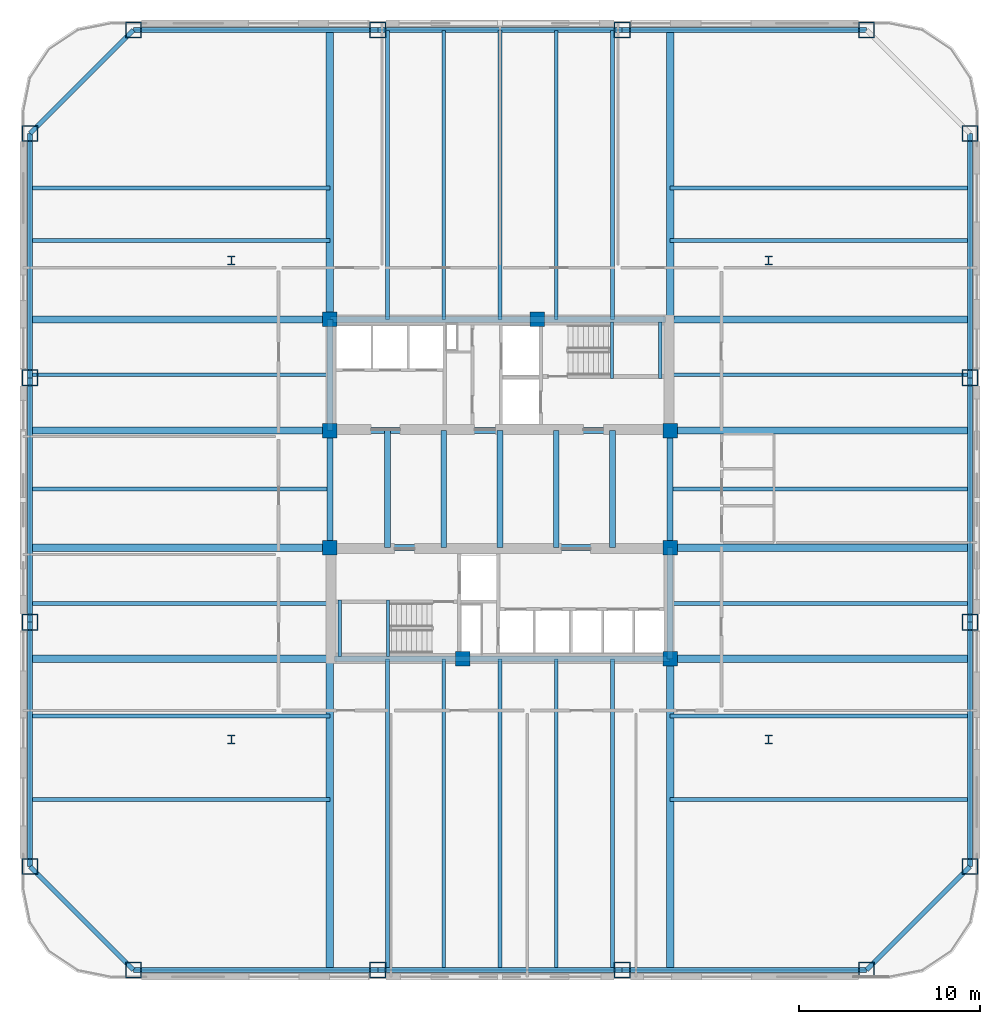
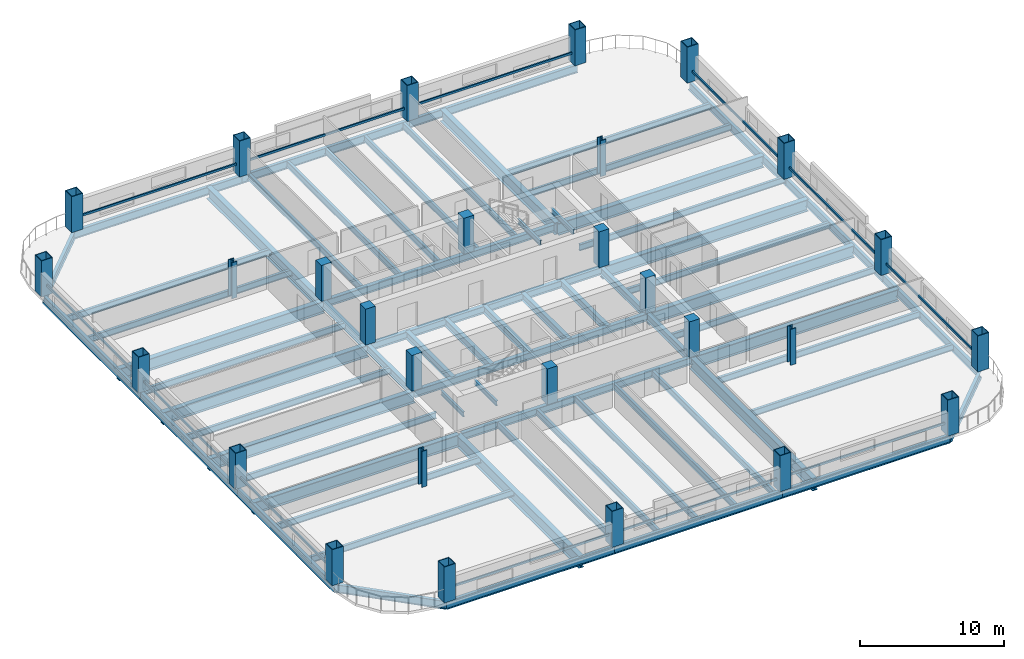
# One storey, part 1 of 12: 68 beams, 28 columns, 4 members.
"""IFC4 building model written with IfcOpenShell, lengths in metres."""

from ifc_helpers import new_model, si_unit, direction, frame, origin, origin_2d, place, context, subcontext, project, spatial, rectangle, hollow_rectangle, i_section, extrude, material, material_profile, profile_set, type_object, element, save


model = new_model("IFC4")

# Units and contexts
model_context = context("Model", 3, precision=1e-05, world=origin(), true_north=direction((0.0, 1.0)))
body_context = subcontext(model_context, "Body", "Model", "MODEL_VIEW")
ifc_project = project(units=[si_unit("LENGTHUNIT", "METRE"), si_unit("AREAUNIT", "SQUARE_METRE"), si_unit("VOLUMEUNIT", "CUBIC_METRE"), si_unit("PLANEANGLEUNIT", "RADIAN"), si_unit("MASSUNIT", "GRAM", prefix="KILO")], contexts=[model_context])

# Site, building, storey
site_placement = place(None, origin())
site = spatial("IfcSite", under=ifc_project, at=site_placement, CompositionType="ELEMENT")
building_placement = place(site_placement, origin())
building = spatial("IfcBuilding", under=site, at=building_placement, Name="Qhalaya Broadcast Tower", CompositionType="ELEMENT")
storey_placement = place(building_placement, frame((0.0, 0.0, 47.449951171875)))
storey = spatial("IfcBuildingStorey", under=building, at=storey_placement, Name="L13", CompositionType="ELEMENT", Elevation=47.449951171875)

# Columns
ifc_material_1 = material(Name="Concrete C50/60", Category="concrete")
ifc_material_profile_1 = material_profile(ifc_material_1, rectangle(XDim=0.800048828125, YDim=0.800048828125, at=origin_2d()), Name="RC-COL 800x800")
ifc_profile_set_1 = profile_set([ifc_material_profile_1], Name="Concrete C50/60")
column_type_1 = type_object("IfcColumnType", Name="RC Upper Column C10", PredefinedType="COLUMN", material=ifc_profile_set_1)
for number, where, z_axis, x_axis, name in (
    (1, (-9.375, 9.949951171875, 0.0), (0.0, 0.0, 1.0), (1.0, 0.0, 0.0), "L13 Column COL-CC1"),
    (2, (2.050048828125, 9.949951171875, 0.0), (0.0, 0.0, 1.0), (1.0, 0.0, 0.0), "L13 Column COL-CC2"),
    (3, (-9.375, 3.824951171875, 0.0), (0.0, 0.0, 1.0), (1.0, 0.0, 0.0), "L13 Column COL-CC3"),
    (4, (9.375, 3.824951171875, 0.0), (0.0, 0.0, 1.0), (1.0, 0.0, 0.0), "L13 Column COL-CC4"),
    (5, (-9.375, -2.625, 0.0), (0.0, 0.0, 1.0), (1.0, 0.0, 0.0), "L13 Column COL-CC5"),
    (6, (9.375, -2.625, 0.0), (0.0, 0.0, 1.0), (1.0, 0.0, 0.0), "L13 Column COL-CC6"),
    (7, (-2.050048828125, -8.75, 0.0), (0.0, 0.0, 1.0), (1.0, 0.0, 0.0), "L13 Column COL-CC7"),
    (8, (9.375, -8.75, 0.0), (0.0, 0.0, 1.0), (1.0, 0.0, 0.0), "L13 Column COL-CC8"),
):
    element("IfcColumn", number, at=place(storey_placement, frame(where, z_axis=z_axis, x_axis=x_axis)), inside=storey, type_object=column_type_1, Name=name, PredefinedType="COLUMN", context=body_context, shape_type="SweptSolid", body=[
        extrude(rectangle(XDim=0.800048828125, YDim=0.800048828125, at=origin_2d()), origin(), (0.0, 0.0, 1.0), 3.050048828125),
    ])
ifc_material_2 = material(Name="Structural Steel ASTM A992 Grade 50", Category="steel")
ifc_material_profile_2 = material_profile(ifc_material_2, i_section(OverallWidth=0.41796875, OverallDepth=0.510009765625, WebThickness=0.0419921875, FlangeThickness=0.067626953125, at=origin_2d()), Name="W14X370")
ifc_profile_set_2 = profile_set([ifc_material_profile_2], Name="Structural Steel ASTM A992 Grade 50")
column_type_2 = type_object("IfcColumnType", Name="Rolled Gravity Column C06", PredefinedType="COLUMN", material=ifc_profile_set_2)
for number, where, z_axis, x_axis, name in (
    (9, (-14.800048828125, -13.199951171875, 0.0), (0.0, 0.0, 1.0), (1.0, 0.0, 0.0), "L13 Column COL-GR1"),
    (10, (14.800048828125, -13.199951171875, 0.0), (0.0, 0.0, 1.0), (1.0, 0.0, 0.0), "L13 Column COL-GR2"),
    (11, (-14.800048828125, 13.199951171875, 0.0), (0.0, 0.0, 1.0), (1.0, 0.0, 0.0), "L13 Column COL-GR3"),
    (12, (14.800048828125, 13.199951171875, 0.0), (0.0, 0.0, 1.0), (1.0, 0.0, 0.0), "L13 Column COL-GR4"),
):
    element("IfcColumn", number, at=place(storey_placement, frame(where, z_axis=z_axis, x_axis=x_axis)), inside=storey, type_object=column_type_2, Name=name, PredefinedType="COLUMN", context=body_context, shape_type="SweptSolid", body=[
        extrude(i_section(OverallWidth=0.41796875, OverallDepth=0.510009765625, WebThickness=0.0419921875, FlangeThickness=0.067626953125, at=origin_2d()), origin(), (0.0, 0.0, 1.0), 3.050048828125),
    ])
ifc_material_3 = material(Name="Structural Steel ASTM A572 Grade 50", Category="steel")
ifc_material_profile_3 = material_profile(ifc_material_3, hollow_rectangle(XDim=0.89990234375, YDim=0.89990234375, WallThickness=0.054931640625, at=origin_2d()), Name="BOX 900x900x55")
ifc_profile_set_3 = profile_set([ifc_material_profile_3], Name="Structural Steel ASTM A572 Grade 50")
column_type_3 = type_object("IfcColumnType", Name="Steel Box Column C02", PredefinedType="COLUMN", material=ifc_profile_set_3)
for number, where, z_axis, x_axis, name in (
    (13, (-20.199951171875, -25.89990234375, 0.0), (0.0, 0.0, 1.0), (1.0, 0.0, 0.0), "L13 Column COL-EX01"),
    (14, (-6.7333984375, -25.89990234375, 0.0), (0.0, 0.0, 1.0), (1.0, 0.0, 0.0), "L13 Column COL-EX02"),
    (15, (6.7333984375, -25.89990234375, 0.0), (0.0, 0.0, 1.0), (1.0, 0.0, 0.0), "L13 Column COL-EX03"),
    (16, (20.199951171875, -25.89990234375, 0.0), (0.0, 0.0, 1.0), (1.0, 0.0, 0.0), "L13 Column COL-EX04"),
    (17, (25.89990234375, -20.199951171875, 0.0), (0.0, 0.0, 1.0), (0.0, 1.0, 0.0), "L13 Column COL-EX05"),
    (18, (25.89990234375, -6.7333984375, 0.0), (0.0, 0.0, 1.0), (0.0, 1.0, 0.0), "L13 Column COL-EX06"),
    (19, (25.89990234375, 6.7333984375, 0.0), (0.0, 0.0, 1.0), (0.0, 1.0, 0.0), "L13 Column COL-EX07"),
    (20, (25.89990234375, 20.199951171875, 0.0), (0.0, 0.0, 1.0), (0.0, 1.0, 0.0), "L13 Column COL-EX08"),
    (21, (20.199951171875, 25.89990234375, 0.0), (0.0, 0.0, 1.0), (1.0, 0.0, 0.0), "L13 Column COL-EX09"),
    (22, (6.7333984375, 25.89990234375, 0.0), (0.0, 0.0, 1.0), (1.0, 0.0, 0.0), "L13 Column COL-EX10"),
    (23, (-6.7333984375, 25.89990234375, 0.0), (0.0, 0.0, 1.0), (1.0, 0.0, 0.0), "L13 Column COL-EX11"),
    (24, (-20.199951171875, 25.89990234375, 0.0), (0.0, 0.0, 1.0), (1.0, 0.0, 0.0), "L13 Column COL-EX12"),
    (25, (-25.89990234375, 20.199951171875, 0.0), (0.0, 0.0, 1.0), (0.0, 1.0, 0.0), "L13 Column COL-EX13"),
    (26, (-25.89990234375, 6.7333984375, 0.0), (0.0, 0.0, 1.0), (0.0, 1.0, 0.0), "L13 Column COL-EX14"),
    (27, (-25.89990234375, -6.7333984375, 0.0), (0.0, 0.0, 1.0), (0.0, 1.0, 0.0), "L13 Column COL-EX15"),
    (28, (-25.89990234375, -20.199951171875, 0.0), (0.0, 0.0, 1.0), (0.0, 1.0, 0.0), "L13 Column COL-EX16"),
):
    element("IfcColumn", number, at=place(storey_placement, frame(where, z_axis=z_axis, x_axis=x_axis)), inside=storey, type_object=column_type_3, Name=name, PredefinedType="COLUMN", context=body_context, shape_type="SweptSolid", body=[
        extrude(hollow_rectangle(XDim=0.89990234375, YDim=0.89990234375, WallThickness=0.054931640625, at=origin_2d()), origin(), (0.0, 0.0, 1.0), 3.050048828125),
    ])

# Beams
ifc_material_profile_4 = material_profile(ifc_material_2, i_section(OverallWidth=0.2099609375, OverallDepth=0.535888671875, WebThickness=0.010986328125, FlangeThickness=0.017333984375, at=origin_2d()), Name="W21X68")
ifc_profile_set_4 = profile_set([ifc_material_profile_4], Name="Structural Steel ASTM A992 Grade 50")
beam_type_1 = type_object("IfcBeamType", Name="Composite Floor Joist J02", PredefinedType="JOIST", material=ifc_profile_set_4)
beam_1_placement = place(storey_placement, frame((-6.199951171875, -25.8798828125, -0.488037109375), z_axis=(0.0, 1.0, 0.0), x_axis=(-1.0, 0.0, 0.0)))
element("IfcBeam", 29, at=beam_1_placement, inside=storey, type_object=beam_type_1, Name="L13 J02 L13-JNS1-1", PredefinedType="JOIST", context=body_context, shape_type="SweptSolid", body=[
    extrude(i_section(OverallWidth=0.2099609375, OverallDepth=0.535888671875, WebThickness=0.010986328125, FlangeThickness=0.017333984375, at=origin_2d()), origin(), (0.0, 0.0, 1.0), 17.1298828125),
])
beam_2_placement = place(storey_placement, frame((-6.199951171875, 9.949951171875, -0.488037109375), z_axis=(0.0, 1.0, 0.0), x_axis=(-1.0, 0.0, 0.0)))
element("IfcBeam", 30, at=beam_2_placement, inside=storey, type_object=beam_type_1, Name="L13 J02 L13-JNN1-1", PredefinedType="JOIST", context=body_context, shape_type="SweptSolid", body=[
    extrude(i_section(OverallWidth=0.2099609375, OverallDepth=0.535888671875, WebThickness=0.010986328125, FlangeThickness=0.017333984375, at=origin_2d()), origin(), (0.0, 0.0, 1.0), 15.929931640625),
])
beam_3_placement = place(storey_placement, frame((-3.10009765625, -25.8798828125, -0.488037109375), z_axis=(0.0, 1.0, 0.0), x_axis=(-1.0, 0.0, 0.0)))
element("IfcBeam", 31, at=beam_3_placement, inside=storey, type_object=beam_type_1, Name="L13 J02 L13-JNS2-1", PredefinedType="JOIST", context=body_context, shape_type="SweptSolid", body=[
    extrude(i_section(OverallWidth=0.2099609375, OverallDepth=0.535888671875, WebThickness=0.010986328125, FlangeThickness=0.017333984375, at=origin_2d()), origin(), (0.0, 0.0, 1.0), 17.1298828125),
])
beam_4_placement = place(storey_placement, frame((-3.10009765625, 9.949951171875, -0.488037109375), z_axis=(0.0, 1.0, 0.0), x_axis=(-1.0, 0.0, 0.0)))
element("IfcBeam", 32, at=beam_4_placement, inside=storey, type_object=beam_type_1, Name="L13 J02 L13-JNN2-1", PredefinedType="JOIST", context=body_context, shape_type="SweptSolid", body=[
    extrude(i_section(OverallWidth=0.2099609375, OverallDepth=0.535888671875, WebThickness=0.010986328125, FlangeThickness=0.017333984375, at=origin_2d()), origin(), (0.0, 0.0, 1.0), 15.929931640625),
])
beam_5_placement = place(storey_placement, frame((0.0, -25.8798828125, -0.488037109375), z_axis=(0.0, 1.0, 0.0), x_axis=(-1.0, 0.0, 0.0)))
element("IfcBeam", 33, at=beam_5_placement, inside=storey, type_object=beam_type_1, Name="L13 J02 L13-JNS3-1", PredefinedType="JOIST", context=body_context, shape_type="SweptSolid", body=[
    extrude(i_section(OverallWidth=0.2099609375, OverallDepth=0.535888671875, WebThickness=0.010986328125, FlangeThickness=0.017333984375, at=origin_2d()), origin(), (0.0, 0.0, 1.0), 17.1298828125),
])
beam_6_placement = place(storey_placement, frame((0.0, 9.949951171875, -0.488037109375), z_axis=(0.0, 1.0, 0.0), x_axis=(-1.0, 0.0, 0.0)))
element("IfcBeam", 34, at=beam_6_placement, inside=storey, type_object=beam_type_1, Name="L13 J02 L13-JNN3-1", PredefinedType="JOIST", context=body_context, shape_type="SweptSolid", body=[
    extrude(i_section(OverallWidth=0.2099609375, OverallDepth=0.535888671875, WebThickness=0.010986328125, FlangeThickness=0.017333984375, at=origin_2d()), origin(), (0.0, 0.0, 1.0), 15.929931640625),
])
beam_7_placement = place(storey_placement, frame((3.10009765625, -25.8798828125, -0.488037109375), z_axis=(0.0, 1.0, 0.0), x_axis=(-1.0, 0.0, 0.0)))
element("IfcBeam", 35, at=beam_7_placement, inside=storey, type_object=beam_type_1, Name="L13 J02 L13-JNS4-1", PredefinedType="JOIST", context=body_context, shape_type="SweptSolid", body=[
    extrude(i_section(OverallWidth=0.2099609375, OverallDepth=0.535888671875, WebThickness=0.010986328125, FlangeThickness=0.017333984375, at=origin_2d()), origin(), (0.0, 0.0, 1.0), 17.1298828125),
])
beam_8_placement = place(storey_placement, frame((3.10009765625, 9.949951171875, -0.488037109375), z_axis=(0.0, 1.0, 0.0), x_axis=(-1.0, 0.0, 0.0)))
element("IfcBeam", 36, at=beam_8_placement, inside=storey, type_object=beam_type_1, Name="L13 J02 L13-JNN4-1", PredefinedType="JOIST", context=body_context, shape_type="SweptSolid", body=[
    extrude(i_section(OverallWidth=0.2099609375, OverallDepth=0.535888671875, WebThickness=0.010986328125, FlangeThickness=0.017333984375, at=origin_2d()), origin(), (0.0, 0.0, 1.0), 15.929931640625),
])
beam_9_placement = place(storey_placement, frame((6.199951171875, -25.8798828125, -0.488037109375), z_axis=(0.0, 1.0, 0.0), x_axis=(-1.0, 0.0, 0.0)))
element("IfcBeam", 37, at=beam_9_placement, inside=storey, type_object=beam_type_1, Name="L13 J02 L13-JNS5-1", PredefinedType="JOIST", context=body_context, shape_type="SweptSolid", body=[
    extrude(i_section(OverallWidth=0.2099609375, OverallDepth=0.535888671875, WebThickness=0.010986328125, FlangeThickness=0.017333984375, at=origin_2d()), origin(), (0.0, 0.0, 1.0), 17.1298828125),
])
beam_10_placement = place(storey_placement, frame((6.199951171875, 9.949951171875, -0.488037109375), z_axis=(0.0, 1.0, 0.0), x_axis=(-1.0, 0.0, 0.0)))
element("IfcBeam", 38, at=beam_10_placement, inside=storey, type_object=beam_type_1, Name="L13 J02 L13-JNN5-1", PredefinedType="JOIST", context=body_context, shape_type="SweptSolid", body=[
    extrude(i_section(OverallWidth=0.2099609375, OverallDepth=0.535888671875, WebThickness=0.010986328125, FlangeThickness=0.017333984375, at=origin_2d()), origin(), (0.0, 0.0, 1.0), 15.929931640625),
])
for number, where, z_axis, x_axis, name in (
    (39, (-25.8798828125, -16.5, -0.488037109375), (1.0, 0.0, 0.0), (0.0, 1.0, 0.0), "L13 J02 L13-JWE1W-1"),
    (40, (9.375, -16.5, -0.488037109375), (1.0, 0.0, 0.0), (0.0, 1.0, 0.0), "L13 J02 L13-JWE1E-1"),
    (41, (-25.8798828125, -11.89990234375, -0.488037109375), (1.0, 0.0, 0.0), (0.0, 1.0, 0.0), "L13 J02 L13-JWE2W-1"),
    (42, (9.375, -11.89990234375, -0.488037109375), (1.0, 0.0, 0.0), (0.0, 1.0, 0.0), "L13 J02 L13-JWE2E-1"),
    (43, (-25.8798828125, -5.699951171875, -0.488037109375), (1.0, 0.0, 0.0), (0.0, 1.0, 0.0), "L13 J02 L13-JWE3W-1"),
    (44, (9.375, -5.699951171875, -0.488037109375), (1.0, 0.0, 0.0), (0.0, 1.0, 0.0), "L13 J02 L13-JWE3E-1"),
    (45, (-25.8798828125, 0.60009765625, -0.488037109375), (1.0, 0.0, 0.0), (0.0, 1.0, 0.0), "L13 J02 L13-JWE4W-1"),
    (46, (9.375, 0.60009765625, -0.488037109375), (1.0, 0.0, 0.0), (0.0, 1.0, 0.0), "L13 J02 L13-JWE4E-1"),
    (47, (-25.8798828125, 6.89990234375, -0.488037109375), (1.0, 0.0, 0.0), (0.0, 1.0, 0.0), "L13 J02 L13-JWE5W-1"),
    (48, (9.375, 6.89990234375, -0.488037109375), (1.0, 0.0, 0.0), (0.0, 1.0, 0.0), "L13 J02 L13-JWE5E-1"),
    (49, (-25.8798828125, 14.300048828125, -0.488037109375), (1.0, 0.0, 0.0), (0.0, 1.0, 0.0), "L13 J02 L13-JWE6W-1"),
    (50, (9.375, 14.300048828125, -0.488037109375), (1.0, 0.0, 0.0), (0.0, 1.0, 0.0), "L13 J02 L13-JWE6E-1"),
    (51, (-25.8798828125, 17.199951171875, -0.488037109375), (1.0, 0.0, 0.0), (0.0, 1.0, 0.0), "L13 J02 L13-JWE7W-1"),
    (52, (9.375, 17.199951171875, -0.488037109375), (1.0, 0.0, 0.0), (0.0, 1.0, 0.0), "L13 J02 L13-JWE7E-1"),
):
    element("IfcBeam", number, at=place(storey_placement, frame(where, z_axis=z_axis, x_axis=x_axis)), inside=storey, type_object=beam_type_1, Name=name, PredefinedType="JOIST", context=body_context, shape_type="SweptSolid", body=[
        extrude(i_section(OverallWidth=0.2099609375, OverallDepth=0.535888671875, WebThickness=0.010986328125, FlangeThickness=0.017333984375, at=origin_2d()), origin(), (0.0, 0.0, 1.0), 16.5048828125),
    ])
ifc_material_profile_5 = material_profile(ifc_material_2, i_section(OverallWidth=0.323974609375, OverallDepth=0.612060546875, WebThickness=0.0126953125, FlangeThickness=0.01904296875, at=origin_2d()), Name="W24X104")
ifc_profile_set_5 = profile_set([ifc_material_profile_5], Name="Structural Steel ASTM A992 Grade 50")
beam_type_2 = type_object("IfcBeamType", Name="Core Frame Tie Beam B04", PredefinedType="BEAM", material=ifc_profile_set_5)
beam_11_placement = place(storey_placement, frame((-9.375, 3.824951171875, -0.52587890625), z_axis=(1.0, 0.0, 0.0), x_axis=(0.0, 1.0, 0.0)))
element("IfcBeam", 53, at=beam_11_placement, inside=storey, type_object=beam_type_2, Name="L13 B04 L13-CCN1", PredefinedType="BEAM", context=body_context, shape_type="SweptSolid", body=[
    extrude(i_section(OverallWidth=0.323974609375, OverallDepth=0.612060546875, WebThickness=0.0126953125, FlangeThickness=0.01904296875, at=origin_2d()), origin(), (0.0, 0.0, 1.0), 18.75),
])
beam_12_placement = place(storey_placement, frame((-9.375, 3.824951171875, -0.52587890625), z_axis=(0.0, 1.0, 0.0), x_axis=(-1.0, 0.0, 0.0)))
element("IfcBeam", 54, at=beam_12_placement, inside=storey, type_object=beam_type_2, Name="L13 B04 L13-CCN2", PredefinedType="BEAM", context=body_context, shape_type="SweptSolid", body=[
    extrude(i_section(OverallWidth=0.323974609375, OverallDepth=0.612060546875, WebThickness=0.0126953125, FlangeThickness=0.01904296875, at=origin_2d()), origin(), (0.0, 0.0, 1.0), 6.125),
])
beam_13_placement = place(storey_placement, frame((-9.375, 9.949951171875, -0.52587890625), z_axis=(1.0, 0.0, 0.0), x_axis=(0.0, 1.0, 0.0)))
element("IfcBeam", 55, at=beam_13_placement, inside=storey, type_object=beam_type_2, Name="L13 B04 L13-CCN3", PredefinedType="BEAM", context=body_context, shape_type="SweptSolid", body=[
    extrude(i_section(OverallWidth=0.323974609375, OverallDepth=0.612060546875, WebThickness=0.0126953125, FlangeThickness=0.01904296875, at=origin_2d()), origin(), (0.0, 0.0, 1.0), 18.4951171875),
])
beam_14_placement = place(storey_placement, frame((-9.375, -2.625, -0.52587890625), z_axis=(1.0, 0.0, 0.0), x_axis=(0.0, 1.0, 0.0)))
element("IfcBeam", 56, at=beam_14_placement, inside=storey, type_object=beam_type_2, Name="L13 B04 L13-CCS1", PredefinedType="BEAM", context=body_context, shape_type="SweptSolid", body=[
    extrude(i_section(OverallWidth=0.323974609375, OverallDepth=0.612060546875, WebThickness=0.0126953125, FlangeThickness=0.01904296875, at=origin_2d()), origin(), (0.0, 0.0, 1.0), 18.75),
])
beam_15_placement = place(storey_placement, frame((9.375, -8.75, -0.52587890625), z_axis=(0.0, 1.0, 0.0), x_axis=(-1.0, 0.0, 0.0)))
element("IfcBeam", 57, at=beam_15_placement, inside=storey, type_object=beam_type_2, Name="L13 B04 L13-CCS2", PredefinedType="BEAM", context=body_context, shape_type="SweptSolid", body=[
    extrude(i_section(OverallWidth=0.323974609375, OverallDepth=0.612060546875, WebThickness=0.0126953125, FlangeThickness=0.01904296875, at=origin_2d()), origin(), (0.0, 0.0, 1.0), 6.125),
])
beam_16_placement = place(storey_placement, frame((-9.1201171875, -8.75, -0.52587890625), z_axis=(1.0, 0.0, 0.0), x_axis=(0.0, 1.0, 0.0)))
element("IfcBeam", 58, at=beam_16_placement, inside=storey, type_object=beam_type_2, Name="L13 B04 L13-CCS3", PredefinedType="BEAM", context=body_context, shape_type="SweptSolid", body=[
    extrude(i_section(OverallWidth=0.323974609375, OverallDepth=0.612060546875, WebThickness=0.0126953125, FlangeThickness=0.01904296875, at=origin_2d()), origin(), (0.0, 0.0, 1.0), 18.4951171875),
])
for number, where, z_axis, x_axis, name in (
    (59, (-9.375, -2.625, -0.52587890625), (0.0, 1.0, 0.0), (-1.0, 0.0, 0.0), "L13 B04 L13-CCW"),
    (60, (9.375, -2.625, -0.52587890625), (0.0, 1.0, 0.0), (-1.0, 0.0, 0.0), "L13 B04 L13-CCE"),
    (61, (-6.199951171875, -2.625, -0.52587890625), (0.0, 1.0, 0.0), (-1.0, 0.0, 0.0), "L13 B04 L13-JC1-1"),
    (62, (-3.10009765625, -2.625, -0.52587890625), (0.0, 1.0, 0.0), (-1.0, 0.0, 0.0), "L13 B04 L13-JC2-1"),
    (63, (0.0, -2.625, -0.52587890625), (0.0, 1.0, 0.0), (-1.0, 0.0, 0.0), "L13 B04 L13-JC3-1"),
    (64, (3.10009765625, -2.625, -0.52587890625), (0.0, 1.0, 0.0), (-1.0, 0.0, 0.0), "L13 B04 L13-JC4-1"),
    (65, (6.199951171875, -2.625, -0.52587890625), (0.0, 1.0, 0.0), (-1.0, 0.0, 0.0), "L13 B04 L13-JC5-1"),
):
    element("IfcBeam", number, at=place(storey_placement, frame(where, z_axis=z_axis, x_axis=x_axis)), inside=storey, type_object=beam_type_2, Name=name, PredefinedType="BEAM", context=body_context, shape_type="SweptSolid", body=[
        extrude(i_section(OverallWidth=0.323974609375, OverallDepth=0.612060546875, WebThickness=0.0126953125, FlangeThickness=0.01904296875, at=origin_2d()), origin(), (0.0, 0.0, 1.0), 6.449951171875),
    ])

# Members
ifc_material_4 = material(Name="Fired Architectural Terracotta", Category="masonry")
ifc_material_profile_6 = material_profile(ifc_material_4, hollow_rectangle(XDim=0.110107421875, YDim=0.179931640625, WallThickness=0.01806640625, at=origin_2d()), Name="TB-BAG 110x180x18")
ifc_profile_set_6 = profile_set([ifc_material_profile_6], Name="Fired Architectural Terracotta")
member_type = type_object("IfcMemberType", Name="Fired Terracotta Facade Baguette Member TB1", PredefinedType="USERDEFINED", material=ifc_profile_set_6)
for number, where, z_axis, x_axis, name in (
    (66, (-20.199951171875, -25.89990234375, 0.84912109375), (1.0, 0.0, 0.0), (0.0, 1.0, 0.0), "L13 Terracotta Baguette Feature Rail S"),
    (67, (25.89990234375, -20.199951171875, 0.84912109375), (0.0, 1.0, 0.0), (-1.0, 0.0, 0.0), "L13 Terracotta Baguette Feature Rail E"),
    (68, (20.199951171875, 25.89990234375, 0.84912109375), (-1.0, 0.0, 0.0), (0.0, -1.0, 0.0), "L13 Terracotta Baguette Feature Rail N"),
    (69, (-25.89990234375, 20.199951171875, 0.84912109375), (0.0, -1.0, 0.0), (1.0, 0.0, 0.0), "L13 Terracotta Baguette Feature Rail W"),
):
    element("IfcMember", number, at=place(storey_placement, frame(where, z_axis=z_axis, x_axis=x_axis)), inside=storey, type_object=member_type, Name=name, ObjectType="BAGUETTE", PredefinedType="USERDEFINED", context=body_context, shape_type="SweptSolid", body=[
        extrude(hollow_rectangle(XDim=0.110107421875, YDim=0.179931640625, WallThickness=0.01806640625, at=origin_2d()), origin(), (0.0, 0.0, 1.0), 40.39990234375),
    ])

# Beams
ifc_material_profile_7 = material_profile(ifc_material_2, i_section(OverallWidth=0.40087890625, OverallDepth=1.010986328125, WebThickness=0.023681640625, FlangeThickness=0.0419921875, at=origin_2d()), Name="W40X297")
ifc_profile_set_7 = profile_set([ifc_material_profile_7], Name="Structural Steel ASTM A992 Grade 50")
beam_type_3 = type_object("IfcBeamType", Name="Lower Block Primary Girder PG2", PredefinedType="USERDEFINED", material=ifc_profile_set_7)
beam_17_placement = place(storey_placement, frame((-9.375, -25.8798828125, -0.725341796875), z_axis=(0.0, 1.0, 0.0), x_axis=(-1.0, 0.0, 0.0)))
element("IfcBeam", 70, at=beam_17_placement, inside=storey, type_object=beam_type_3, Name="L13 PG2 L13-PGXS1-1", ObjectType="GIRDER", PredefinedType="USERDEFINED", context=body_context, shape_type="SweptSolid", body=[
    extrude(i_section(OverallWidth=0.40087890625, OverallDepth=1.010986328125, WebThickness=0.023681640625, FlangeThickness=0.0419921875, at=origin_2d()), origin(), (0.0, 0.0, 1.0), 17.1298828125),
])
beam_18_placement = place(storey_placement, frame((-9.375, 9.949951171875, -0.725341796875), z_axis=(0.0, 1.0, 0.0), x_axis=(-1.0, 0.0, 0.0)))
element("IfcBeam", 71, at=beam_18_placement, inside=storey, type_object=beam_type_3, Name="L13 PG2 L13-PGXN1-1", ObjectType="GIRDER", PredefinedType="USERDEFINED", context=body_context, shape_type="SweptSolid", body=[
    extrude(i_section(OverallWidth=0.40087890625, OverallDepth=1.010986328125, WebThickness=0.023681640625, FlangeThickness=0.0419921875, at=origin_2d()), origin(), (0.0, 0.0, 1.0), 15.929931640625),
])
beam_19_placement = place(storey_placement, frame((9.375, -25.8798828125, -0.725341796875), z_axis=(0.0, 1.0, 0.0), x_axis=(-1.0, 0.0, 0.0)))
element("IfcBeam", 72, at=beam_19_placement, inside=storey, type_object=beam_type_3, Name="L13 PG2 L13-PGXS2-1", ObjectType="GIRDER", PredefinedType="USERDEFINED", context=body_context, shape_type="SweptSolid", body=[
    extrude(i_section(OverallWidth=0.40087890625, OverallDepth=1.010986328125, WebThickness=0.023681640625, FlangeThickness=0.0419921875, at=origin_2d()), origin(), (0.0, 0.0, 1.0), 17.1298828125),
])
beam_20_placement = place(storey_placement, frame((9.375, 9.949951171875, -0.725341796875), z_axis=(0.0, 1.0, 0.0), x_axis=(-1.0, 0.0, 0.0)))
element("IfcBeam", 73, at=beam_20_placement, inside=storey, type_object=beam_type_3, Name="L13 PG2 L13-PGXN2-1", ObjectType="GIRDER", PredefinedType="USERDEFINED", context=body_context, shape_type="SweptSolid", body=[
    extrude(i_section(OverallWidth=0.40087890625, OverallDepth=1.010986328125, WebThickness=0.023681640625, FlangeThickness=0.0419921875, at=origin_2d()), origin(), (0.0, 0.0, 1.0), 15.929931640625),
])
for number, where, z_axis, x_axis, name in (
    (74, (-25.8798828125, -8.75, -0.725341796875), (1.0, 0.0, 0.0), (0.0, 1.0, 0.0), "L13 PG2 L13-PGYW1-1"),
    (75, (9.375, -8.75, -0.725341796875), (1.0, 0.0, 0.0), (0.0, 1.0, 0.0), "L13 PG2 L13-PGYE1-1"),
    (76, (-25.8798828125, -2.625, -0.725341796875), (1.0, 0.0, 0.0), (0.0, 1.0, 0.0), "L13 PG2 L13-PGYW2-1"),
    (77, (9.375, -2.625, -0.725341796875), (1.0, 0.0, 0.0), (0.0, 1.0, 0.0), "L13 PG2 L13-PGYE2-1"),
    (78, (-25.8798828125, 3.824951171875, -0.725341796875), (1.0, 0.0, 0.0), (0.0, 1.0, 0.0), "L13 PG2 L13-PGYW3-1"),
    (79, (9.375, 3.824951171875, -0.725341796875), (1.0, 0.0, 0.0), (0.0, 1.0, 0.0), "L13 PG2 L13-PGYE3-1"),
    (80, (-25.8798828125, 9.949951171875, -0.725341796875), (1.0, 0.0, 0.0), (0.0, 1.0, 0.0), "L13 PG2 L13-PGYW4-1"),
    (81, (9.375, 9.949951171875, -0.725341796875), (1.0, 0.0, 0.0), (0.0, 1.0, 0.0), "L13 PG2 L13-PGYE4-1"),
):
    element("IfcBeam", number, at=place(storey_placement, frame(where, z_axis=z_axis, x_axis=x_axis)), inside=storey, type_object=beam_type_3, Name=name, ObjectType="GIRDER", PredefinedType="USERDEFINED", context=body_context, shape_type="SweptSolid", body=[
        extrude(i_section(OverallWidth=0.40087890625, OverallDepth=1.010986328125, WebThickness=0.023681640625, FlangeThickness=0.0419921875, at=origin_2d()), origin(), (0.0, 0.0, 1.0), 16.5048828125),
    ])
ifc_material_profile_8 = material_profile(ifc_material_2, i_section(OverallWidth=0.25390625, OverallDepth=0.68310546875, WebThickness=0.012451171875, FlangeThickness=0.01904296875, at=origin_2d()), Name="W27X94")
ifc_profile_set_8 = profile_set([ifc_material_profile_8], Name="Structural Steel ASTM A992 Grade 50")
beam_type_4 = type_object("IfcBeamType", Name="Perimeter Ring Spandrel Beam SP1", PredefinedType="SPANDREL", material=ifc_profile_set_8)
beam_21_placement = place(storey_placement, frame((-20.199951171875, -25.89990234375, -0.5615234375), z_axis=(1.0, 0.0, 0.0), x_axis=(0.0, 1.0, 0.0)))
element("IfcBeam", 82, at=beam_21_placement, inside=storey, type_object=beam_type_4, Name="L13 SP1 L13-SPR-01", PredefinedType="SPANDREL", context=body_context, shape_type="SweptSolid", body=[
    extrude(i_section(OverallWidth=0.25390625, OverallDepth=0.68310546875, WebThickness=0.012451171875, FlangeThickness=0.01904296875, at=origin_2d()), origin(), (0.0, 0.0, 1.0), 13.466552734375),
])
beam_22_placement = place(storey_placement, frame((-6.7333984375, -25.89990234375, -0.5615234375), z_axis=(1.0, 0.0, 0.0), x_axis=(0.0, 1.0, 0.0)))
element("IfcBeam", 83, at=beam_22_placement, inside=storey, type_object=beam_type_4, Name="L13 SP1 L13-SPR-02", PredefinedType="SPANDREL", context=body_context, shape_type="SweptSolid", body=[
    extrude(i_section(OverallWidth=0.25390625, OverallDepth=0.68310546875, WebThickness=0.012451171875, FlangeThickness=0.01904296875, at=origin_2d()), origin(), (0.0, 0.0, 1.0), 13.466796875),
])
beam_23_placement = place(storey_placement, frame((6.7333984375, -25.89990234375, -0.5615234375), z_axis=(1.0, 0.0, 0.0), x_axis=(0.0, 1.0, 0.0)))
element("IfcBeam", 84, at=beam_23_placement, inside=storey, type_object=beam_type_4, Name="L13 SP1 L13-SPR-03", PredefinedType="SPANDREL", context=body_context, shape_type="SweptSolid", body=[
    extrude(i_section(OverallWidth=0.25390625, OverallDepth=0.68310546875, WebThickness=0.012451171875, FlangeThickness=0.01904296875, at=origin_2d()), origin(), (0.0, 0.0, 1.0), 13.466552734375),
])
beam_24_placement = place(storey_placement, frame((20.199951171875, -25.89990234375, -0.5615234375), z_axis=(0.707106781187, 0.707106781187, 0.0), x_axis=(-0.707106781187, 0.707106781187, 0.0)))
element("IfcBeam", 85, at=beam_24_placement, inside=storey, type_object=beam_type_4, Name="L13 SP1 L13-SPR-04", PredefinedType="SPANDREL", context=body_context, shape_type="SweptSolid", body=[
    extrude(i_section(OverallWidth=0.25390625, OverallDepth=0.68310546875, WebThickness=0.012451171875, FlangeThickness=0.01904296875, at=origin_2d()), origin(), (0.0, 0.0, 1.0), 8.06103515625),
])
beam_25_placement = place(storey_placement, frame((25.89990234375, -20.199951171875, -0.5615234375), z_axis=(0.0, 1.0, 0.0), x_axis=(-1.0, 0.0, 0.0)))
element("IfcBeam", 86, at=beam_25_placement, inside=storey, type_object=beam_type_4, Name="L13 SP1 L13-SPR-05", PredefinedType="SPANDREL", context=body_context, shape_type="SweptSolid", body=[
    extrude(i_section(OverallWidth=0.25390625, OverallDepth=0.68310546875, WebThickness=0.012451171875, FlangeThickness=0.01904296875, at=origin_2d()), origin(), (0.0, 0.0, 1.0), 13.466552734375),
])
beam_26_placement = place(storey_placement, frame((25.89990234375, -6.7333984375, -0.5615234375), z_axis=(0.0, 1.0, 0.0), x_axis=(-1.0, 0.0, 0.0)))
element("IfcBeam", 87, at=beam_26_placement, inside=storey, type_object=beam_type_4, Name="L13 SP1 L13-SPR-06", PredefinedType="SPANDREL", context=body_context, shape_type="SweptSolid", body=[
    extrude(i_section(OverallWidth=0.25390625, OverallDepth=0.68310546875, WebThickness=0.012451171875, FlangeThickness=0.01904296875, at=origin_2d()), origin(), (0.0, 0.0, 1.0), 13.466796875),
])
for number, where, z_axis, x_axis, name in (
    (88, (25.89990234375, 6.7333984375, -0.5615234375), (0.0, 1.0, 0.0), (-1.0, 0.0, 0.0), "L13 SP1 L13-SPR-07"),
    (89, (20.199951171875, 25.89990234375, -0.5615234375), (-1.0, 0.0, 0.0), (0.0, -1.0, 0.0), "L13 SP1 L13-SPR-09"),
):
    element("IfcBeam", number, at=place(storey_placement, frame(where, z_axis=z_axis, x_axis=x_axis)), inside=storey, type_object=beam_type_4, Name=name, PredefinedType="SPANDREL", context=body_context, shape_type="SweptSolid", body=[
        extrude(i_section(OverallWidth=0.25390625, OverallDepth=0.68310546875, WebThickness=0.012451171875, FlangeThickness=0.01904296875, at=origin_2d()), origin(), (0.0, 0.0, 1.0), 13.466552734375),
    ])
beam_27_placement = place(storey_placement, frame((6.7333984375, 25.89990234375, -0.5615234375), z_axis=(-1.0, 0.0, 0.0), x_axis=(0.0, -1.0, 0.0)))
element("IfcBeam", 90, at=beam_27_placement, inside=storey, type_object=beam_type_4, Name="L13 SP1 L13-SPR-10", PredefinedType="SPANDREL", context=body_context, shape_type="SweptSolid", body=[
    extrude(i_section(OverallWidth=0.25390625, OverallDepth=0.68310546875, WebThickness=0.012451171875, FlangeThickness=0.01904296875, at=origin_2d()), origin(), (0.0, 0.0, 1.0), 13.466796875),
])
beam_28_placement = place(storey_placement, frame((-6.7333984375, 25.89990234375, -0.5615234375), z_axis=(-1.0, 0.0, 0.0), x_axis=(0.0, -1.0, 0.0)))
element("IfcBeam", 91, at=beam_28_placement, inside=storey, type_object=beam_type_4, Name="L13 SP1 L13-SPR-11", PredefinedType="SPANDREL", context=body_context, shape_type="SweptSolid", body=[
    extrude(i_section(OverallWidth=0.25390625, OverallDepth=0.68310546875, WebThickness=0.012451171875, FlangeThickness=0.01904296875, at=origin_2d()), origin(), (0.0, 0.0, 1.0), 13.466552734375),
])
beam_29_placement = place(storey_placement, frame((-20.199951171875, 25.89990234375, -0.5615234375), z_axis=(-0.707106781187, -0.707106781187, 0.0), x_axis=(0.707106781187, -0.707106781187, 0.0)))
element("IfcBeam", 92, at=beam_29_placement, inside=storey, type_object=beam_type_4, Name="L13 SP1 L13-SPR-12", PredefinedType="SPANDREL", context=body_context, shape_type="SweptSolid", body=[
    extrude(i_section(OverallWidth=0.25390625, OverallDepth=0.68310546875, WebThickness=0.012451171875, FlangeThickness=0.01904296875, at=origin_2d()), origin(), (0.0, 0.0, 1.0), 8.06103515625),
])
beam_30_placement = place(storey_placement, frame((-25.89990234375, 20.199951171875, -0.5615234375), z_axis=(0.0, -1.0, 0.0), x_axis=(1.0, 0.0, 0.0)))
element("IfcBeam", 93, at=beam_30_placement, inside=storey, type_object=beam_type_4, Name="L13 SP1 L13-SPR-13", PredefinedType="SPANDREL", context=body_context, shape_type="SweptSolid", body=[
    extrude(i_section(OverallWidth=0.25390625, OverallDepth=0.68310546875, WebThickness=0.012451171875, FlangeThickness=0.01904296875, at=origin_2d()), origin(), (0.0, 0.0, 1.0), 13.466552734375),
])
beam_31_placement = place(storey_placement, frame((-25.89990234375, 6.7333984375, -0.5615234375), z_axis=(0.0, -1.0, 0.0), x_axis=(1.0, 0.0, 0.0)))
element("IfcBeam", 94, at=beam_31_placement, inside=storey, type_object=beam_type_4, Name="L13 SP1 L13-SPR-14", PredefinedType="SPANDREL", context=body_context, shape_type="SweptSolid", body=[
    extrude(i_section(OverallWidth=0.25390625, OverallDepth=0.68310546875, WebThickness=0.012451171875, FlangeThickness=0.01904296875, at=origin_2d()), origin(), (0.0, 0.0, 1.0), 13.466796875),
])
beam_32_placement = place(storey_placement, frame((-25.89990234375, -6.7333984375, -0.5615234375), z_axis=(0.0, -1.0, 0.0), x_axis=(1.0, 0.0, 0.0)))
element("IfcBeam", 95, at=beam_32_placement, inside=storey, type_object=beam_type_4, Name="L13 SP1 L13-SPR-15", PredefinedType="SPANDREL", context=body_context, shape_type="SweptSolid", body=[
    extrude(i_section(OverallWidth=0.25390625, OverallDepth=0.68310546875, WebThickness=0.012451171875, FlangeThickness=0.01904296875, at=origin_2d()), origin(), (0.0, 0.0, 1.0), 13.466552734375),
])
beam_33_placement = place(storey_placement, frame((-25.89990234375, -20.199951171875, -0.5615234375), z_axis=(0.707106781187, -0.707106781187, 0.0), x_axis=(0.707106781187, 0.707106781187, 0.0)))
element("IfcBeam", 96, at=beam_33_placement, inside=storey, type_object=beam_type_4, Name="L13 SP1 L13-SPR-16", PredefinedType="SPANDREL", context=body_context, shape_type="SweptSolid", body=[
    extrude(i_section(OverallWidth=0.25390625, OverallDepth=0.68310546875, WebThickness=0.012451171875, FlangeThickness=0.01904296875, at=origin_2d()), origin(), (0.0, 0.0, 1.0), 8.06103515625),
])
ifc_material_profile_9 = material_profile(ifc_material_2, i_section(OverallWidth=0.177978515625, OverallDepth=0.406005859375, WebThickness=0.0078125, FlangeThickness=0.0126953125, at=origin_2d()), Name="W16X40")
ifc_profile_set_9 = profile_set([ifc_material_profile_9], Name="Structural Steel ASTM A992 Grade 50")
beam_type_5 = type_object("IfcBeamType", Name="Upper Perimeter Spandrel Beam SP2", PredefinedType="SPANDREL", material=ifc_profile_set_9)
for number, where, z_axis, x_axis, name in (
    (97, (6.175048828125, 6.699951171875, 1.1220703125), (0.0, 1.0, 0.0), (-1.0, 0.0, 0.0), "L13 ST-1 Half-Landing Bearer Beam 1"),
    (98, (8.830078125, 6.699951171875, 1.1220703125), (0.0, 1.0, 0.0), (-1.0, 0.0, 0.0), "L13 ST-1 Half-Landing Bearer Beam 2"),
    (99, (-8.830078125, -8.6201171875, 1.1220703125), (0.0, 1.0, 0.0), (-1.0, 0.0, 0.0), "L13 ST-2 Half-Landing Bearer Beam 1"),
    (100, (-6.175048828125, -8.6201171875, 1.1220703125), (0.0, 1.0, 0.0), (-1.0, 0.0, 0.0), "L13 ST-2 Half-Landing Bearer Beam 2"),
):
    element("IfcBeam", number, at=place(storey_placement, frame(where, z_axis=z_axis, x_axis=x_axis)), inside=storey, type_object=beam_type_5, Name=name, PredefinedType="SPANDREL", context=body_context, shape_type="SweptSolid", body=[
        extrude(i_section(OverallWidth=0.177978515625, OverallDepth=0.406005859375, WebThickness=0.0078125, FlangeThickness=0.0126953125, at=origin_2d()), origin(), (0.0, 0.0, 1.0), 3.1201171875),
    ])

save(model, "model.ifc")
